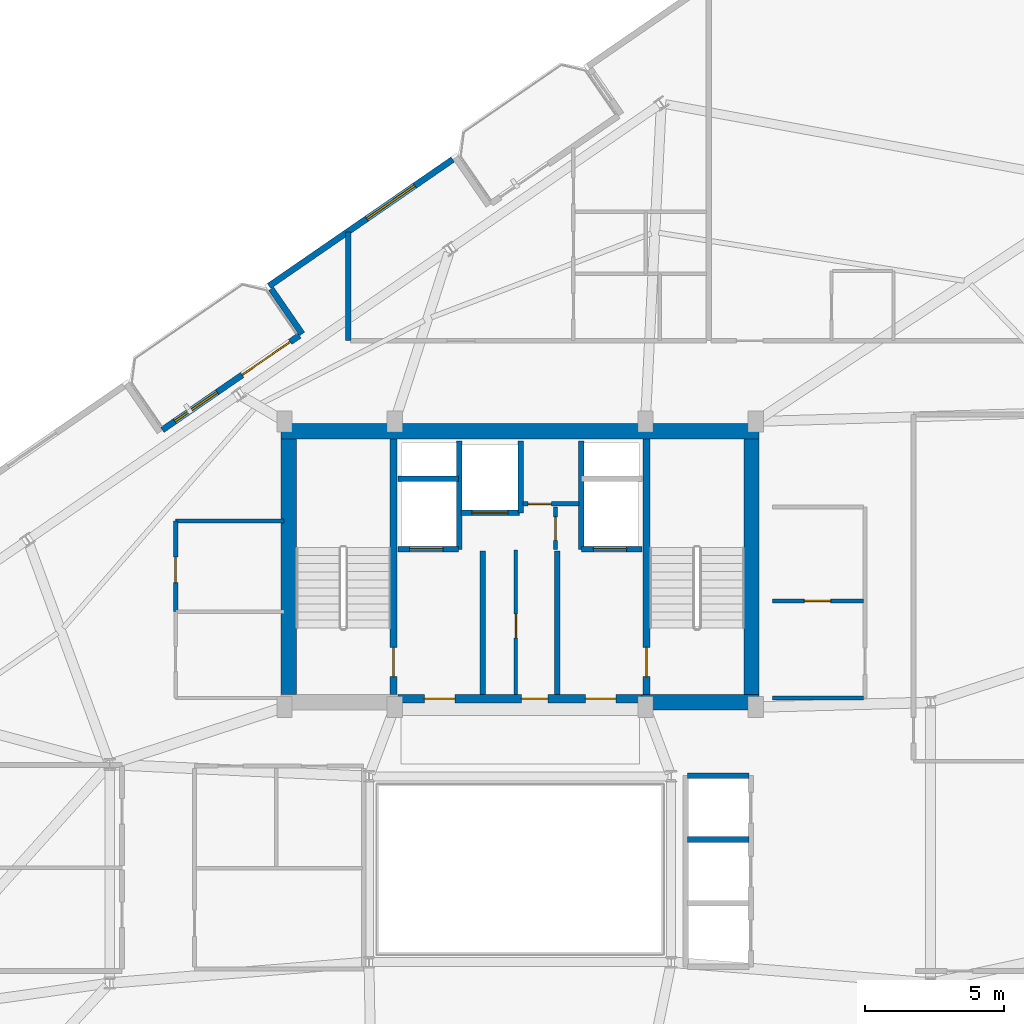
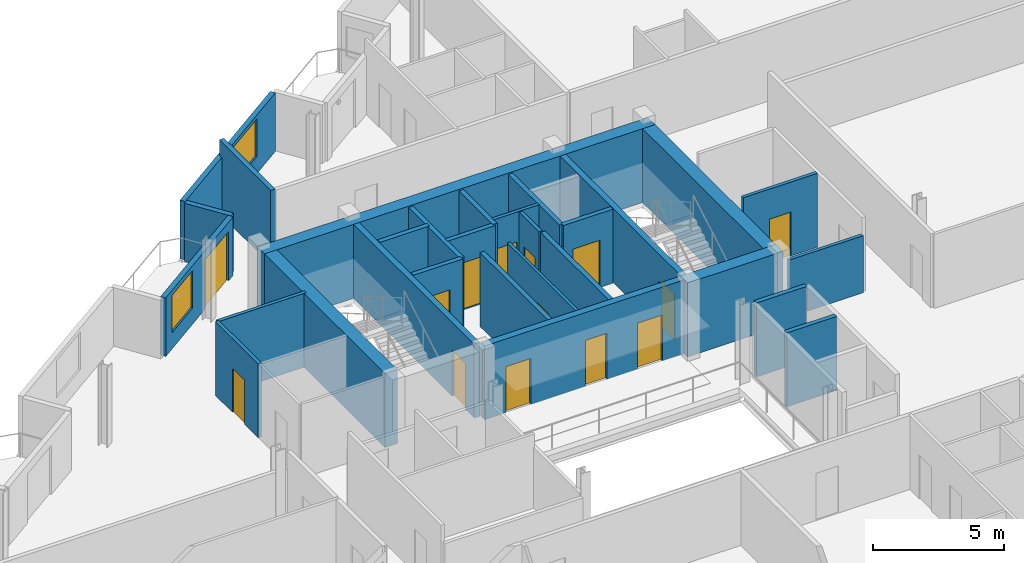
# One storey, part 18 of 23: 29 walls, 14 doors, 2 windows, 16 openings.
"""IFC4 building model written with IfcOpenShell, lengths in metres."""

from ifc_helpers import new_model, si_unit, direction, frame, frame_2d, origin, place, context, subcontext, project, spatial, rectangle, extrude, material, layer, layer_set, type_object, element, fill, save


model = new_model("IFC4")

# Units and contexts
model_context = context("Model", 3, precision=1e-05, world=origin(), true_north=direction((0.0, 1.0)))
body_context = subcontext(model_context, "Body", "Model", "MODEL_VIEW")
ifc_project = project(units=[si_unit("LENGTHUNIT", "METRE"), si_unit("AREAUNIT", "SQUARE_METRE"), si_unit("VOLUMEUNIT", "CUBIC_METRE"), si_unit("PLANEANGLEUNIT", "RADIAN"), si_unit("MASSUNIT", "GRAM", prefix="KILO")], contexts=[model_context])

# Site, building, storey
site_placement = place(None, origin())
site = spatial("IfcSite", under=ifc_project, at=site_placement, CompositionType="ELEMENT")
building_placement = place(site_placement, origin())
building = spatial("IfcBuilding", under=site, at=building_placement, Name="Varnelok Gate Tower", CompositionType="ELEMENT")
storey_placement = place(building_placement, frame((0.0, 0.0, 273.0)))
storey = spatial("IfcBuildingStorey", under=building, at=storey_placement, Name="L70", CompositionType="ELEMENT", Elevation=273.0)

# Wall, openings, door, window
ifc_material_1 = material(Name="Concrete C45/55", Category="concrete")
ifc_layer_1 = layer(ifc_material_1, 0.219970703125)
ifc_layer_set_1 = layer_set([ifc_layer_1], Name="Concrete C45/55")
wall_type_1 = type_object("IfcWallType", Name="EW-BALC-220", PredefinedType="SOLIDWALL", material=ifc_layer_set_1)
wall_1_placement = place(storey_placement, frame((26.29736328125, 38.742919921875, 0.0), z_axis=(0.0, 0.0, 1.0), x_axis=(0.823534636215, 0.567265989598, 0.0)))
wall_1 = element("IfcWall", 1, at=wall_1_placement, inside=storey, type_object=wall_type_1, Name="L70 North Terrace Envelope Wall 5", PredefinedType="SOLIDWALL", context=body_context, shape_type="SweptSolid", body=[
    extrude(rectangle(XDim=6.0, YDim=0.219970703125, at=frame_2d((3.0, 0.0))), origin(), (0.0, 0.0, 1.0), 2.72998046875),
])
opening_1_placement = place(wall_1_placement, frame((3.5, 0.0, 0.0)))
opening_1 = element("IfcOpeningElement", 2, at=opening_1_placement, cuts=wall_1, Name="Opening BD-2", PredefinedType="OPENING", context=body_context, shape_type="SweptSolid", body=[
    extrude(rectangle(XDim=2.10009765625, YDim=2.300048828125, at=frame_2d((1.050048828125, 1.14990234375))), frame((0.0, 0.119873046875, 0.0), z_axis=(0.0, -1.0, 0.0), x_axis=(1.0, 0.0, 0.0)), (0.0, 0.0, 1.0), 0.239990234375),
])
opening_2_placement = place(wall_1_placement, frame((0.550048828125, 0.0, 0.75)))
opening_2 = element("IfcOpeningElement", 3, at=opening_2_placement, cuts=wall_1, Name="Opening WN5", PredefinedType="OPENING", context=body_context, shape_type="SweptSolid", body=[
    extrude(rectangle(XDim=1.85009765625, YDim=1.75, at=frame_2d((0.925048828125, 0.875))), frame((0.0, 0.119873046875, 0.0), z_axis=(0.0, -1.0, 0.0), x_axis=(1.0, 0.0, 0.0)), (0.0, 0.0, 1.0), 0.239990234375),
])
ifc_material_2 = material(Name="Anodized Aluminum Alloy 6063-T6", Category="aluminium")
door_type_1 = type_object("IfcDoorType", Name="DR-EXT-SLID2100", OperationType="SLIDING_TO_LEFT", PredefinedType="DOOR", material=ifc_material_2)
door_1_placement = place(opening_1_placement, origin())
door_1 = element("IfcDoor", 4, at=door_1_placement, inside=storey, type_object=door_type_1, Name="L70 North Balcony Glazed Door 5", OperationType="SLIDING_TO_LEFT", OverallHeight=2.300048828125, OverallWidth=2.10009765625, PredefinedType="DOOR", context=body_context, shape_type="SweptSolid", body=[
    extrude(rectangle(XDim=2.10009765625, YDim=2.300048828125, at=frame_2d((1.050048828125, 1.14990234375))), frame((0.0, 0.02490234375, 0.0), z_axis=(0.0, -1.0, 0.0), x_axis=(1.0, 0.0, 0.0)), (0.0, 0.0, 1.0), 0.050048828125),
])
fill(opening_1, door_1)
ifc_material_3 = material(Name="Low-E Laminated Double Glazing IGU", Category="glass")
window_type_1 = type_object("IfcWindowType", Name="WN-RES-1850", PartitioningType="SINGLE_PANEL", PredefinedType="WINDOW", material=ifc_material_3)
window_1_placement = place(opening_2_placement, origin())
window_1 = element("IfcWindow", 5, at=window_1_placement, inside=storey, type_object=window_type_1, Name="L70 North Vision Window 5.1", OverallHeight=1.75, OverallWidth=1.85009765625, PartitioningType="SINGLE_PANEL", PredefinedType="WINDOW", context=body_context, shape_type="SweptSolid", body=[
    extrude(rectangle(XDim=1.85009765625, YDim=1.75, at=frame_2d((0.925048828125, 0.875))), frame((0.0, 0.030029296875, 0.0), z_axis=(0.0, -1.0, 0.0), x_axis=(1.0, 0.0, 0.0)), (0.0, 0.0, 1.0), 0.06005859375),
])
fill(opening_2, window_1)

# Wall, opening, window
wall_2_placement = place(storey_placement, frame((36.768798828125, 48.493896484375, 0.0), z_axis=(0.0, 0.0, 1.0), x_axis=(-0.823521165086, -0.56728554596, 0.0)))
wall_2 = element("IfcWall", 6, at=wall_2_placement, inside=storey, type_object=wall_type_1, Name="L70 Perimeter Facade Closure Wall 32", PredefinedType="SOLIDWALL", context=body_context, shape_type="SweptSolid", body=[
    extrude(rectangle(XDim=8.034912109375, YDim=0.219970703125, at=frame_2d((4.017578125, 0.0))), origin(), (0.0, 0.0, 1.0), 2.72998046875),
])
opening_3_placement = place(wall_2_placement, frame((1.661865234375, 0.0, 0.800048828125)))
opening_3 = element("IfcOpeningElement", 7, at=opening_3_placement, cuts=wall_2, Name="Opening WN4", PredefinedType="OPENING", context=body_context, shape_type="SweptSolid", body=[
    extrude(rectangle(XDim=2.10009765625, YDim=1.75, at=frame_2d((1.050048828125, 0.875))), frame((0.0, 0.119873046875, 0.0), z_axis=(0.0, -1.0, 0.0), x_axis=(1.0, 0.0, 0.0)), (0.0, 0.0, 1.0), 0.239990234375),
])
window_type_2 = type_object("IfcWindowType", Name="WN-SUI-2100", PartitioningType="SINGLE_PANEL", PredefinedType="WINDOW", material=ifc_material_3)
window_2_placement = place(opening_3_placement, origin())
window_2 = element("IfcWindow", 8, at=window_2_placement, inside=storey, type_object=window_type_2, Name="L70 Perimeter Vision Window 32", OverallHeight=1.75, OverallWidth=2.10009765625, PartitioningType="SINGLE_PANEL", PredefinedType="WINDOW", context=body_context, shape_type="SweptSolid", body=[
    extrude(rectangle(XDim=2.10009765625, YDim=1.75, at=frame_2d((1.050048828125, 0.875))), frame((0.0, 0.030029296875, 0.0), z_axis=(0.0, -1.0, 0.0), x_axis=(1.0, 0.0, 0.0)), (0.0, 0.0, 1.0), 0.06005859375),
])
fill(opening_3, window_2)

# Wall
wall_3_placement = place(storey_placement, frame((30.22265625, 43.8330078125, 0.0), z_axis=(0.0, 0.0, 1.0), x_axis=(0.567215821234, -0.823569190865, 0.0)))
element("IfcWall", 9, at=wall_3_placement, inside=storey, type_object=wall_type_1, Name="L70 Perimeter Facade Closure Wall 33", PredefinedType="SOLIDWALL", context=body_context, shape_type="SweptSolid", body=[
    extrude(rectangle(XDim=1.97509765625, YDim=0.219970703125, at=frame_2d((0.987548828125, 0.0))), origin(), (0.0, 0.0, 1.0), 2.72998046875),
])

# Wall, opening, door
ifc_material_4 = material(Name="Gypsum Plasterboard Acoustic Partition", Category="gypsum")
ifc_layer_2 = layer(ifc_material_4, 0.125)
ifc_layer_set_2 = layer_set([ifc_layer_2], Name="Gypsum Plasterboard Acoustic Partition")
wall_type_2 = type_object("IfcWallType", Name="PW-PART-125", PredefinedType="PARTITIONING", material=ifc_layer_set_2)
wall_4_placement = place(storey_placement, frame((39.050048828125, 29.199951171875, 0.0), z_axis=(0.0, 0.0, 1.0), x_axis=(0.0, 1.0, 0.0)))
wall_4 = element("IfcWall", 10, at=wall_4_placement, inside=storey, type_object=wall_type_2, Name="Interior Partition", PredefinedType="PARTITIONING", context=body_context, shape_type="SweptSolid", body=[
    extrude(rectangle(XDim=5.219970703125, YDim=0.125, at=frame_2d((2.60986328125, 0.0))), origin(), (0.0, 0.0, 1.0), 3.449951171875),
])
opening_4_placement = place(wall_4_placement, frame((2.050048828125, 0.0, 0.0)))
opening_4 = element("IfcOpeningElement", 11, at=opening_4_placement, cuts=wall_4, Name="Opening D-RS", PredefinedType="OPENING", context=body_context, shape_type="SweptSolid", body=[
    extrude(rectangle(XDim=0.85009765625, YDim=2.050048828125, at=frame_2d((0.425048828125, 1.02490234375))), frame((0.0, 0.072509765625, 0.0), z_axis=(0.0, -1.0, 0.0), x_axis=(1.0, 0.0, 0.0)), (0.0, 0.0, 1.0), 0.14501953125),
])
ifc_material_5 = material(Name="Galvanized Steel Grade S350GD", Category="steel")
door_type_2 = type_object("IfcDoorType", Name="DR-RISER-850", OperationType="NOTDEFINED", PredefinedType="DOOR", material=ifc_material_5)
door_2_placement = place(opening_4_placement, origin())
door_2 = element("IfcDoor", 12, at=door_2_placement, inside=storey, type_object=door_type_2, Name="L70 Housekeeping Linen Door", OperationType="SINGLE_SWING_LEFT", OverallHeight=2.050048828125, OverallWidth=0.85009765625, PredefinedType="DOOR", context=body_context, shape_type="SweptSolid", body=[
    extrude(rectangle(XDim=0.85009765625, YDim=2.050048828125, at=frame_2d((0.425048828125, 1.02490234375))), frame((0.0, 0.02490234375, 0.0), z_axis=(0.0, -1.0, 0.0), x_axis=(1.0, 0.0, 0.0)), (0.0, 0.0, 1.0), 0.050048828125),
])
fill(opening_4, door_2)

ifc_layer_3 = layer(ifc_material_4, 0.14990234375)
ifc_layer_set_3 = layer_set([ifc_layer_3], Name="Gypsum Plasterboard Acoustic Partition")
wall_type_3 = type_object("IfcWallType", Name="PW-PART-150", PredefinedType="PARTITIONING", material=ifc_layer_set_3)
wall_5_placement = place(storey_placement, frame((39.300048828125, 36.080078125, 0.0), z_axis=(0.0, 0.0, 1.0), x_axis=(1.0, 0.0, 0.0)))
wall_5 = element("IfcWall", 13, at=wall_5_placement, inside=storey, type_object=wall_type_3, Name="L70 Electrical Closet South Wall", PredefinedType="PARTITIONING", context=body_context, shape_type="SweptSolid", body=[
    extrude(rectangle(XDim=2.02001953125, YDim=0.14990234375, at=frame_2d((1.010009765625, 0.0))), origin(), (0.0, 0.0, 1.0), 3.449951171875),
])
opening_5_placement = place(wall_5_placement, frame((0.179931640625, 0.0, 0.0)))
opening_5 = element("IfcOpeningElement", 14, at=opening_5_placement, cuts=wall_5, Name="Opening D-RS", PredefinedType="OPENING", context=body_context, shape_type="SweptSolid", body=[
    extrude(rectangle(XDim=0.85009765625, YDim=2.050048828125, at=frame_2d((0.425048828125, 1.02490234375))), frame((0.0, 0.0849609375, 0.0), z_axis=(0.0, -1.0, 0.0), x_axis=(1.0, 0.0, 0.0)), (0.0, 0.0, 1.0), 0.169921875),
])
door_3_placement = place(opening_5_placement, origin())
door_3 = element("IfcDoor", 15, at=door_3_placement, inside=storey, type_object=door_type_2, Name="L70 Electrical Closet Door", OperationType="SINGLE_SWING_RIGHT", OverallHeight=2.050048828125, OverallWidth=0.85009765625, PredefinedType="DOOR", context=body_context, shape_type="SweptSolid", body=[
    extrude(rectangle(XDim=0.85009765625, YDim=2.050048828125, at=frame_2d((0.425048828125, 1.02490234375))), frame((0.0, 0.02490234375, 0.0), z_axis=(0.0, -1.0, 0.0), x_axis=(1.0, 0.0, 0.0)), (0.0, 0.0, 1.0), 0.050048828125),
])
fill(opening_5, door_3)

wall_6_placement = place(storey_placement, frame((40.47998046875, 34.43994140625, 0.0), z_axis=(0.0, 0.0, 1.0), x_axis=(0.0, 1.0, 0.0)))
wall_6 = element("IfcWall", 16, at=wall_6_placement, inside=storey, type_object=wall_type_3, Name="L70 Telecoms Closet West Wall", PredefinedType="PARTITIONING", context=body_context, shape_type="SweptSolid", body=[
    extrude(rectangle(XDim=1.52001953125, YDim=0.14990234375, at=frame_2d((0.760009765625, 0.0))), origin(), (0.0, 0.0, 1.0), 3.449951171875),
])
opening_6_placement = place(wall_6_placement, frame((0.320068359375, 0.0, 0.0)))
opening_6 = element("IfcOpeningElement", 17, at=opening_6_placement, cuts=wall_6, Name="Opening D-RS", PredefinedType="OPENING", context=body_context, shape_type="SweptSolid", body=[
    extrude(rectangle(XDim=0.85009765625, YDim=2.050048828125, at=frame_2d((0.425048828125, 1.02490234375))), frame((0.0, 0.0849609375, 0.0), z_axis=(0.0, -1.0, 0.0), x_axis=(1.0, 0.0, 0.0)), (0.0, 0.0, 1.0), 0.169921875),
])
door_4_placement = place(opening_6_placement, origin())
door_4 = element("IfcDoor", 18, at=door_4_placement, inside=storey, type_object=door_type_2, Name="L70 Telecoms Closet Door", OperationType="SINGLE_SWING_LEFT", OverallHeight=2.050048828125, OverallWidth=0.85009765625, PredefinedType="DOOR", context=body_context, shape_type="SweptSolid", body=[
    extrude(rectangle(XDim=0.85009765625, YDim=2.050048828125, at=frame_2d((0.425048828125, 1.02490234375))), frame((0.0, 0.02490234375, 0.0), z_axis=(0.0, -1.0, 0.0), x_axis=(1.0, 0.0, 0.0)), (0.0, 0.0, 1.0), 0.050048828125),
])
fill(opening_6, door_4)

# Wall
wall_7_placement = place(storey_placement, frame((26.780029296875, 35.4599609375, 0.0), z_axis=(0.0, 0.0, 1.0), x_axis=(1.0, 0.0, 0.0)))
element("IfcWall", 19, at=wall_7_placement, inside=storey, type_object=wall_type_3, Name="Interior Partition", PredefinedType="PARTITIONING", context=body_context, shape_type="SweptSolid", body=[
    extrude(rectangle(XDim=3.89990234375, YDim=0.14990234375, at=frame_2d((1.949951171875, 0.0))), origin(), (0.0, 0.0, 1.0), 3.449951171875),
])

# Wall, opening, door
wall_8_placement = place(storey_placement, frame((26.780029296875, 32.18994140625, 0.0), z_axis=(0.0, 0.0, 1.0), x_axis=(0.0, 1.0, 0.0)))
wall_8 = element("IfcWall", 20, at=wall_8_placement, inside=storey, type_object=wall_type_3, Name="Interior Partition", PredefinedType="PARTITIONING", context=body_context, shape_type="SweptSolid", body=[
    extrude(rectangle(XDim=3.27001953125, YDim=0.14990234375, at=frame_2d((1.635009765625, 0.0))), origin(), (0.0, 0.0, 1.0), 3.449951171875),
])
opening_7_placement = place(wall_8_placement, frame((1.050048828125, 0.0, 0.0)))
opening_7 = element("IfcOpeningElement", 21, at=opening_7_placement, cuts=wall_8, Name="Opening D-I3", PredefinedType="OPENING", context=body_context, shape_type="SweptSolid", body=[
    extrude(rectangle(XDim=0.919921875, YDim=2.050048828125, at=frame_2d((0.4599609375, 1.02490234375))), frame((0.0, 0.0849609375, 0.0), z_axis=(0.0, -1.0, 0.0), x_axis=(1.0, 0.0, 0.0)), (0.0, 0.0, 1.0), 0.169921875),
])
ifc_material_6 = material(Name="Engineered Hardwood Timber", Category="wood")
door_type_3 = type_object("IfcDoorType", Name="DR-INT-920", OperationType="NOTDEFINED", PredefinedType="DOOR", material=ifc_material_6)
door_5_placement = place(opening_7_placement, origin())
door_5 = element("IfcDoor", 22, at=door_5_placement, inside=storey, type_object=door_type_3, Name="L70 Core Pantry Door", OperationType="SINGLE_SWING_RIGHT", OverallHeight=2.050048828125, OverallWidth=0.919921875, PredefinedType="DOOR", context=body_context, shape_type="SweptSolid", body=[
    extrude(rectangle(XDim=0.919921875, YDim=2.050048828125, at=frame_2d((0.4599609375, 1.02490234375))), frame((0.0, 0.02490234375, 0.0), z_axis=(0.0, -1.0, 0.0), x_axis=(1.0, 0.0, 0.0)), (0.0, 0.0, 1.0), 0.050048828125),
])
fill(opening_7, door_5)

wall_9_placement = place(storey_placement, frame((48.300048828125, 32.580078125, 0.0), z_axis=(0.0, 0.0, 1.0), x_axis=(1.0, 0.0, 0.0)))
wall_9 = element("IfcWall", 23, at=wall_9_placement, inside=storey, type_object=wall_type_3, Name="Interior Partition", PredefinedType="PARTITIONING", context=body_context, shape_type="SweptSolid", body=[
    extrude(rectangle(XDim=3.280029296875, YDim=0.14990234375, at=frame_2d((1.64013671875, 0.0))), origin(), (0.0, 0.0, 1.0), 3.449951171875),
])
opening_8_placement = place(wall_9_placement, frame((1.14990234375, 0.0, 0.0)))
opening_8 = element("IfcOpeningElement", 24, at=opening_8_placement, cuts=wall_9, Name="Opening D-I2", PredefinedType="OPENING", context=body_context, shape_type="SweptSolid", body=[
    extrude(rectangle(XDim=0.949951171875, YDim=2.050048828125, at=frame_2d((0.47509765625, 1.02490234375))), frame((0.0, 0.0849609375, 0.0), z_axis=(0.0, -1.0, 0.0), x_axis=(1.0, 0.0, 0.0)), (0.0, 0.0, 1.0), 0.169921875),
])
door_type_4 = type_object("IfcDoorType", Name="DR-INT-950", OperationType="NOTDEFINED", PredefinedType="DOOR", material=ifc_material_6)
door_6_placement = place(opening_8_placement, origin())
door_6 = element("IfcDoor", 25, at=door_6_placement, inside=storey, type_object=door_type_4, Name="L70 Reclaimed Trunk Storage Door", OperationType="SINGLE_SWING_LEFT", OverallHeight=2.050048828125, OverallWidth=0.949951171875, PredefinedType="DOOR", context=body_context, shape_type="SweptSolid", body=[
    extrude(rectangle(XDim=0.949951171875, YDim=2.050048828125, at=frame_2d((0.47509765625, 1.02490234375))), frame((0.0, 0.02490234375, 0.0), z_axis=(0.0, -1.0, 0.0), x_axis=(1.0, 0.0, 0.0)), (0.0, 0.0, 1.0), 0.050048828125),
])
fill(opening_8, door_6)

# Walls
wall_10_placement = place(storey_placement, frame((48.300048828125, 29.080078125, 0.0), z_axis=(0.0, 0.0, 1.0), x_axis=(1.0, 0.0, 0.0)))
element("IfcWall", 26, at=wall_10_placement, inside=storey, type_object=wall_type_3, Name="Interior Partition", PredefinedType="PARTITIONING", context=body_context, shape_type="SweptSolid", body=[
    extrude(rectangle(XDim=3.280029296875, YDim=0.14990234375, at=frame_2d((1.64013671875, 0.0))), origin(), (0.0, 0.0, 1.0), 2.662109375),
])
ifc_layer_4 = layer(ifc_material_4, 0.205078125)
ifc_layer_set_4 = layer_set([ifc_layer_4], Name="Gypsum Plasterboard Acoustic Partition")
wall_type_4 = type_object("IfcWallType", Name="PW-PARTY-200", PredefinedType="PARTITIONING", material=ifc_layer_set_4)
wall_11_placement = place(storey_placement, frame((33.0, 41.9599609375, 0.0), z_axis=(0.0, 0.0, 1.0), x_axis=(0.0, 1.0, 0.0)))
element("IfcWall", 27, at=wall_11_placement, inside=storey, type_object=wall_type_4, Name="L70 North Party Wall 1", PredefinedType="PARTITIONING", context=body_context, shape_type="SweptSolid", body=[
    extrude(rectangle(XDim=3.91357421875, YDim=0.205078125, at=frame_2d((1.956787109375, 0.0))), origin(), (0.0, 0.0, 1.0), 3.449951171875),
])
ifc_material_7 = material(Name="Concrete C35/45", Category="concrete")
ifc_layer_5 = layer(ifc_material_7, 0.199951171875)
ifc_layer_set_5 = layer_set([ifc_layer_5], Name="Concrete C35/45")
wall_type_5 = type_object("IfcWallType", Name="PW-SHAFT-200", PredefinedType="PARTITIONING", material=ifc_layer_set_5)
for number, where, z_axis, x_axis, name in (
    (28, (37.860107421875, 29.199951171875, 0.0), (0.0, 0.0, 1.0), (0.0, 1.0, 0.0), "L70 West FF Lobby Rated Wall"),
    (29, (40.5400390625, 29.199951171875, 0.0), (0.0, 0.0, 1.0), (0.0, 1.0, 0.0), "L70 East FF Lobby Rated Wall"),
):
    element("IfcWall", number, at=place(storey_placement, frame(where, z_axis=z_axis, x_axis=x_axis)), inside=storey, type_object=wall_type_5, Name=name, PredefinedType="PARTITIONING", context=body_context, shape_type="SweptSolid", body=[
        extrude(rectangle(XDim=5.179931640625, YDim=0.199951171875, at=frame_2d((2.58984375, 0.0))), origin(), (0.0, 0.0, 1.0), 3.449951171875),
    ])

# Wall, opening, door
wall_12_placement = place(storey_placement, frame((34.800048828125, 34.43994140625, 0.0), z_axis=(0.0, 0.0, 1.0), x_axis=(1.0, 0.0, 0.0)))
wall_12 = element("IfcWall", 30, at=wall_12_placement, inside=storey, type_object=wall_type_5, Name="L70 FF1 Shaft Front Wall", PredefinedType="PARTITIONING", context=body_context, shape_type="SweptSolid", body=[
    extrude(rectangle(XDim=2.179931640625, YDim=0.199951171875, at=frame_2d((1.08984375, 0.0))), origin(), (0.0, 0.0, 1.0), 3.449951171875),
])
opening_9_placement = place(wall_12_placement, frame((0.419921875, 0.0, 0.0)))
opening_9 = element("IfcOpeningElement", 31, at=opening_9_placement, cuts=wall_12, Name="Opening LD-FF1", PredefinedType="OPENING", context=body_context, shape_type="SweptSolid", body=[
    extrude(rectangle(XDim=1.199951171875, YDim=2.199951171875, at=frame_2d((0.60009765625, 1.10009765625))), frame((0.0, 0.10986328125, 0.0), z_axis=(0.0, -1.0, 0.0), x_axis=(1.0, 0.0, 0.0)), (0.0, 0.0, 1.0), 0.219970703125),
])
door_type_5 = type_object("IfcDoorType", Name="DR-LIFT-FF1200", OperationType="SLIDING_TO_LEFT", PredefinedType="DOOR", material=ifc_material_5)
door_7_placement = place(opening_9_placement, origin())
door_7 = element("IfcDoor", 32, at=door_7_placement, inside=storey, type_object=door_type_5, Name="L70 Firefighting Lift Landing Door LD-FF1", OperationType="SLIDING_TO_LEFT", OverallHeight=2.199951171875, OverallWidth=1.199951171875, PredefinedType="DOOR", context=body_context, shape_type="SweptSolid", body=[
    extrude(rectangle(XDim=1.199951171875, YDim=2.199951171875, at=frame_2d((0.60009765625, 1.10009765625))), frame((0.0, 0.02490234375, 0.0), z_axis=(0.0, -1.0, 0.0), x_axis=(1.0, 0.0, 0.0)), (0.0, 0.0, 1.0), 0.050048828125),
])
fill(opening_9, door_7)

# Walls
wall_13_placement = place(storey_placement, frame((34.800048828125, 36.97998046875, 0.0), z_axis=(0.0, 0.0, 1.0), x_axis=(1.0, 0.0, 0.0)))
element("IfcWall", 33, at=wall_13_placement, inside=storey, type_object=wall_type_5, Name="L70 FF1 Shaft North Wall", PredefinedType="PARTITIONING", context=body_context, shape_type="SweptSolid", body=[
    extrude(rectangle(XDim=2.179931640625, YDim=0.199951171875, at=frame_2d((1.08984375, 0.0))), origin(), (0.0, 0.0, 1.0), 3.449951171875),
])
wall_14_placement = place(storey_placement, frame((37.0, 34.43994140625, 0.0), z_axis=(0.0, 0.0, 1.0), x_axis=(0.0, 1.0, 0.0)))
element("IfcWall", 34, at=wall_14_placement, inside=storey, type_object=wall_type_5, Name="L70 FF1 Shaft Side Wall", PredefinedType="PARTITIONING", context=body_context, shape_type="SweptSolid", body=[
    extrude(rectangle(XDim=3.900146484375, YDim=0.199951171875, at=frame_2d((1.9501953125, 0.0))), origin(), (0.0, 0.0, 1.0), 3.449951171875),
])

# Wall, opening, door
wall_15_placement = place(storey_placement, frame((41.419921875, 34.43994140625, 0.0), z_axis=(0.0, 0.0, 1.0), x_axis=(1.0, 0.0, 0.0)))
wall_15 = element("IfcWall", 35, at=wall_15_placement, inside=storey, type_object=wall_type_5, Name="L70 FF2 Shaft Front Wall", PredefinedType="PARTITIONING", context=body_context, shape_type="SweptSolid", body=[
    extrude(rectangle(XDim=2.18017578125, YDim=0.199951171875, at=frame_2d((1.090087890625, 0.0))), origin(), (0.0, 0.0, 1.0), 3.449951171875),
])
opening_10_placement = place(wall_15_placement, frame((0.419921875, 0.0, 0.0)))
opening_10 = element("IfcOpeningElement", 36, at=opening_10_placement, cuts=wall_15, Name="Opening LD-FF2", PredefinedType="OPENING", context=body_context, shape_type="SweptSolid", body=[
    extrude(rectangle(XDim=1.199951171875, YDim=2.199951171875, at=frame_2d((0.60009765625, 1.10009765625))), frame((0.0, 0.10986328125, 0.0), z_axis=(0.0, -1.0, 0.0), x_axis=(1.0, 0.0, 0.0)), (0.0, 0.0, 1.0), 0.219970703125),
])
door_8_placement = place(opening_10_placement, origin())
door_8 = element("IfcDoor", 37, at=door_8_placement, inside=storey, type_object=door_type_5, Name="L70 Firefighting Lift Landing Door LD-FF2", OperationType="SLIDING_TO_LEFT", OverallHeight=2.199951171875, OverallWidth=1.199951171875, PredefinedType="DOOR", context=body_context, shape_type="SweptSolid", body=[
    extrude(rectangle(XDim=1.199951171875, YDim=2.199951171875, at=frame_2d((0.60009765625, 1.10009765625))), frame((0.0, 0.02490234375, 0.0), z_axis=(0.0, -1.0, 0.0), x_axis=(1.0, 0.0, 0.0)), (0.0, 0.0, 1.0), 0.050048828125),
])
fill(opening_10, door_8)

# Wall
wall_16_placement = place(storey_placement, frame((41.39990234375, 34.43994140625, 0.0), z_axis=(0.0, 0.0, 1.0), x_axis=(0.0, 1.0, 0.0)))
element("IfcWall", 38, at=wall_16_placement, inside=storey, type_object=wall_type_5, Name="L70 FF2 Shaft Side Wall", PredefinedType="PARTITIONING", context=body_context, shape_type="SweptSolid", body=[
    extrude(rectangle(XDim=3.900146484375, YDim=0.199951171875, at=frame_2d((1.9501953125, 0.0))), origin(), (0.0, 0.0, 1.0), 3.449951171875),
])

# Wall, opening, door
wall_17_placement = place(storey_placement, frame((37.06005859375, 35.75, 0.0), z_axis=(0.0, 0.0, 1.0), x_axis=(1.0, 0.0, 0.0)))
wall_17 = element("IfcWall", 39, at=wall_17_placement, inside=storey, type_object=wall_type_5, Name="L70 SV1 Shaft Front Wall", PredefinedType="PARTITIONING", context=body_context, shape_type="SweptSolid", body=[
    extrude(rectangle(XDim=2.119873046875, YDim=0.199951171875, at=frame_2d((1.06005859375, 0.0))), origin(), (0.0, 0.0, 1.0), 3.449951171875),
])
opening_11_placement = place(wall_17_placement, frame((0.39990234375, 0.0, 0.0)))
opening_11 = element("IfcOpeningElement", 40, at=opening_11_placement, cuts=wall_17, Name="Opening LD-SV1", PredefinedType="OPENING", context=body_context, shape_type="SweptSolid", body=[
    extrude(rectangle(XDim=1.300048828125, YDim=2.199951171875, at=frame_2d((0.64990234375, 1.10009765625))), frame((0.0, 0.10986328125, 0.0), z_axis=(0.0, -1.0, 0.0), x_axis=(1.0, 0.0, 0.0)), (0.0, 0.0, 1.0), 0.219970703125),
])
door_type_6 = type_object("IfcDoorType", Name="DR-LIFT-SV1300", OperationType="SLIDING_TO_LEFT", PredefinedType="DOOR", material=ifc_material_5)
door_9_placement = place(opening_11_placement, origin())
door_9 = element("IfcDoor", 41, at=door_9_placement, inside=storey, type_object=door_type_6, Name="L70 Service Lift Landing Door LD-SV1", OperationType="SLIDING_TO_LEFT", OverallHeight=2.199951171875, OverallWidth=1.300048828125, PredefinedType="DOOR", context=body_context, shape_type="SweptSolid", body=[
    extrude(rectangle(XDim=1.300048828125, YDim=2.199951171875, at=frame_2d((0.64990234375, 1.10009765625))), frame((0.0, 0.02490234375, 0.0), z_axis=(0.0, -1.0, 0.0), x_axis=(1.0, 0.0, 0.0)), (0.0, 0.0, 1.0), 0.050048828125),
])
fill(opening_11, door_9)

# Walls
wall_18_placement = place(storey_placement, frame((39.219970703125, 35.75, 0.0), z_axis=(0.0, 0.0, 1.0), x_axis=(0.0, 1.0, 0.0)))
element("IfcWall", 42, at=wall_18_placement, inside=storey, type_object=wall_type_5, Name="L70 SV1 Shaft East Wall", PredefinedType="PARTITIONING", context=body_context, shape_type="SweptSolid", body=[
    extrude(rectangle(XDim=2.590087890625, YDim=0.199951171875, at=frame_2d((1.294921875, 0.0))), origin(), (0.0, 0.0, 1.0), 3.449951171875),
])
for number, where, z_axis, x_axis, name in (
    (43, (45.239990234375, 23.97509765625, 0.0), (0.0, 0.0, 1.0), (1.0, 0.0, 0.0), "L70 PH2 Divider"),
    (44, (45.239990234375, 26.280029296875, 0.0), (0.0, 0.0, 1.0), (1.0, 0.0, 0.0), "L70 PH Bank North Wall"),
):
    element("IfcWall", number, at=place(storey_placement, frame(where, z_axis=z_axis, x_axis=x_axis)), inside=storey, type_object=wall_type_5, Name=name, PredefinedType="PARTITIONING", context=body_context, shape_type="SweptSolid", body=[
        extrude(rectangle(XDim=2.219970703125, YDim=0.199951171875, at=frame_2d((1.10986328125, 0.0))), origin(), (0.0, 0.0, 1.0), 3.449951171875),
    ])
ifc_material_8 = material(Name="Concrete C60/75", Category="concrete")
ifc_layer_6 = layer(ifc_material_8, 0.550048828125)
ifc_layer_set_6 = layer_set([ifc_layer_6], Name="Concrete C60/75")
wall_type_6 = type_object("IfcWallType", Name="SW-CORE-550", PredefinedType="SHEAR", material=ifc_layer_set_6)
wall_19_placement = place(storey_placement, frame((30.580078125, 38.695068359375, 0.0), z_axis=(0.0, 0.0, 1.0), x_axis=(1.0, 0.0, 0.0)))
element("IfcWall", 45, at=wall_19_placement, inside=storey, type_object=wall_type_6, Name="L70 Rear Core North Shear Wall", PredefinedType="SHEAR", context=body_context, shape_type="SweptSolid", body=[
    extrude(rectangle(XDim=17.239990234375, YDim=0.550048828125, at=frame_2d((8.6201171875, 0.0))), origin(), (0.0, 0.0, 1.0), 3.449951171875),
])
for number, where, z_axis, x_axis, name in (
    (46, (30.85498046875, 29.199951171875, 0.0), (0.0, 0.0, 1.0), (0.0, 1.0, 0.0), "L70 Rear Core West Shear Wall"),
    (47, (47.544921875, 29.199951171875, 0.0), (0.0, 0.0, 1.0), (0.0, 1.0, 0.0), "L70 Rear Core East Shear Wall"),
):
    element("IfcWall", number, at=place(storey_placement, frame(where, z_axis=z_axis, x_axis=x_axis)), inside=storey, type_object=wall_type_6, Name=name, PredefinedType="SHEAR", context=body_context, shape_type="SweptSolid", body=[
        extrude(rectangle(XDim=9.219970703125, YDim=0.550048828125, at=frame_2d((4.60986328125, 0.0))), origin(), (0.0, 0.0, 1.0), 3.449951171875),
    ])
wall_20_placement = place(storey_placement, frame((43.60009765625, 28.925048828125, 0.0), z_axis=(0.0, 0.0, 1.0), x_axis=(1.0, 0.0, 0.0)))
element("IfcWall", 48, at=wall_20_placement, inside=storey, type_object=wall_type_6, Name="L70 Rear Core South-East Shear Wall", PredefinedType="SHEAR", context=body_context, shape_type="SweptSolid", body=[
    extrude(rectangle(XDim=4.219970703125, YDim=0.550048828125, at=frame_2d((2.10986328125, 0.0))), origin(), (0.0, 0.0, 1.0), 3.449951171875),
])

# Wall, opening, door
ifc_layer_7 = layer(ifc_material_8, 0.25)
ifc_layer_set_7 = layer_set([ifc_layer_7], Name="Concrete C60/75")
wall_type_7 = type_object("IfcWallType", Name="SW-SHAFT-250", PredefinedType="SHEAR", material=ifc_layer_set_7)
wall_21_placement = place(storey_placement, frame((34.639892578125, 29.199951171875, 0.0), z_axis=(0.0, 0.0, 1.0), x_axis=(0.0, 1.0, 0.0)))
wall_21 = element("IfcWall", 49, at=wall_21_placement, inside=storey, type_object=wall_type_7, Name="L70 Stair ST-1 East Shear Wall", PredefinedType="SHEAR", context=body_context, shape_type="SweptSolid", body=[
    extrude(rectangle(XDim=9.219970703125, YDim=0.25, at=frame_2d((4.60986328125, 0.0))), origin(), (0.0, 0.0, 1.0), 3.449951171875),
])
opening_12_placement = place(wall_21_placement, frame((0.64990234375, 0.0, 0.0)))
opening_12 = element("IfcOpeningElement", 50, at=opening_12_placement, cuts=wall_21, Name="Opening D-ST", PredefinedType="OPENING", context=body_context, shape_type="SweptSolid", body=[
    extrude(rectangle(XDim=1.050048828125, YDim=2.14990234375, at=frame_2d((0.52490234375, 1.074951171875))), frame((0.0, 0.135009765625, 0.0), z_axis=(0.0, -1.0, 0.0), x_axis=(1.0, 0.0, 0.0)), (0.0, 0.0, 1.0), 0.27001953125),
])
door_type_7 = type_object("IfcDoorType", Name="DR-STAIR-1050", OperationType="NOTDEFINED", PredefinedType="DOOR", material=ifc_material_5)
door_10_placement = place(opening_12_placement, origin())
door_10 = element("IfcDoor", 51, at=door_10_placement, inside=storey, type_object=door_type_7, Name="L70 Exit Stair ST-1 Fire Door", OperationType="SINGLE_SWING_LEFT", OverallHeight=2.14990234375, OverallWidth=1.050048828125, PredefinedType="DOOR", context=body_context, shape_type="SweptSolid", body=[
    extrude(rectangle(XDim=1.050048828125, YDim=2.14990234375, at=frame_2d((0.52490234375, 1.074951171875))), frame((0.0, 0.02490234375, 0.0), z_axis=(0.0, -1.0, 0.0), x_axis=(1.0, 0.0, 0.0)), (0.0, 0.0, 1.0), 0.050048828125),
])
fill(opening_12, door_10)

wall_22_placement = place(storey_placement, frame((43.760009765625, 29.199951171875, 0.0), z_axis=(0.0, 0.0, 1.0), x_axis=(0.0, 1.0, 0.0)))
wall_22 = element("IfcWall", 52, at=wall_22_placement, inside=storey, type_object=wall_type_7, Name="L70 Stair ST-2 West Shear Wall", PredefinedType="SHEAR", context=body_context, shape_type="SweptSolid", body=[
    extrude(rectangle(XDim=9.219970703125, YDim=0.25, at=frame_2d((4.60986328125, 0.0))), origin(), (0.0, 0.0, 1.0), 3.449951171875),
])
opening_13_placement = place(wall_22_placement, frame((0.64990234375, 0.0, 0.0)))
opening_13 = element("IfcOpeningElement", 53, at=opening_13_placement, cuts=wall_22, Name="Opening D-ST", PredefinedType="OPENING", context=body_context, shape_type="SweptSolid", body=[
    extrude(rectangle(XDim=1.050048828125, YDim=2.14990234375, at=frame_2d((0.52490234375, 1.074951171875))), frame((0.0, 0.135009765625, 0.0), z_axis=(0.0, -1.0, 0.0), x_axis=(1.0, 0.0, 0.0)), (0.0, 0.0, 1.0), 0.27001953125),
])
door_11_placement = place(opening_13_placement, origin())
door_11 = element("IfcDoor", 54, at=door_11_placement, inside=storey, type_object=door_type_7, Name="L70 Exit Stair ST-2 Fire Door", OperationType="SINGLE_SWING_RIGHT", OverallHeight=2.14990234375, OverallWidth=1.050048828125, PredefinedType="DOOR", context=body_context, shape_type="SweptSolid", body=[
    extrude(rectangle(XDim=1.050048828125, YDim=2.14990234375, at=frame_2d((0.52490234375, 1.074951171875))), frame((0.0, 0.02490234375, 0.0), z_axis=(0.0, -1.0, 0.0), x_axis=(1.0, 0.0, 0.0)), (0.0, 0.0, 1.0), 0.050048828125),
])
fill(opening_13, door_11)

# Wall, openings, doors
ifc_layer_8 = layer(ifc_material_8, 0.300048828125)
ifc_layer_set_8 = layer_set([ifc_layer_8], Name="Concrete C60/75")
wall_type_8 = type_object("IfcWallType", Name="SW-SHAFT-300", PredefinedType="SHEAR", material=ifc_layer_set_8)
wall_23_placement = place(storey_placement, frame((34.800048828125, 29.050048828125, 0.0), z_axis=(0.0, 0.0, 1.0), x_axis=(1.0, 0.0, 0.0)))
wall_23 = element("IfcWall", 55, at=wall_23_placement, inside=storey, type_object=wall_type_8, Name="L70 Rear Core Central Lobby Shear Wall", PredefinedType="SHEAR", context=body_context, shape_type="SweptSolid", body=[
    extrude(rectangle(XDim=8.800048828125, YDim=0.300048828125, at=frame_2d((4.39990234375, 0.0))), origin(), (0.0, 0.0, 1.0), 3.449951171875),
])
opening_14_placement = place(wall_23_placement, frame((0.949951171875, 0.0, 0.0)))
opening_14 = element("IfcOpeningElement", 56, at=opening_14_placement, cuts=wall_23, Name="Opening D-FF", PredefinedType="OPENING", context=body_context, shape_type="SweptSolid", body=[
    extrude(rectangle(XDim=1.10009765625, YDim=2.14990234375, at=frame_2d((0.550048828125, 1.074951171875))), frame((0.0, 0.159912109375, 0.0), z_axis=(0.0, -1.0, 0.0), x_axis=(1.0, 0.0, 0.0)), (0.0, 0.0, 1.0), 0.320068359375),
])
opening_15_placement = place(wall_23_placement, frame((6.75, 0.0, 0.0)))
opening_15 = element("IfcOpeningElement", 57, at=opening_15_placement, cuts=wall_23, Name="Opening D-FF", PredefinedType="OPENING", context=body_context, shape_type="SweptSolid", body=[
    extrude(rectangle(XDim=1.10009765625, YDim=2.14990234375, at=frame_2d((0.550048828125, 1.074951171875))), frame((0.0, 0.159912109375, 0.0), z_axis=(0.0, -1.0, 0.0), x_axis=(1.0, 0.0, 0.0)), (0.0, 0.0, 1.0), 0.320068359375),
])
opening_16_placement = place(wall_23_placement, frame((4.449951171875, 0.0, 0.0)))
opening_16 = element("IfcOpeningElement", 58, at=opening_16_placement, cuts=wall_23, Name="Opening D-CR", PredefinedType="OPENING", context=body_context, shape_type="SweptSolid", body=[
    extrude(rectangle(XDim=0.949951171875, YDim=2.14990234375, at=frame_2d((0.47509765625, 1.074951171875))), frame((0.0, 0.159912109375, 0.0), z_axis=(0.0, -1.0, 0.0), x_axis=(1.0, 0.0, 0.0)), (0.0, 0.0, 1.0), 0.320068359375),
])
door_type_8 = type_object("IfcDoorType", Name="DR-CORR-950", OperationType="NOTDEFINED", PredefinedType="DOOR", material=ifc_material_5)
door_12_placement = place(opening_16_placement, origin())
door_12 = element("IfcDoor", 59, at=door_12_placement, inside=storey, type_object=door_type_8, Name="L70 Core Service Passage Door", OperationType="SINGLE_SWING_LEFT", OverallHeight=2.14990234375, OverallWidth=0.949951171875, PredefinedType="DOOR", context=body_context, shape_type="SweptSolid", body=[
    extrude(rectangle(XDim=0.949951171875, YDim=2.14990234375, at=frame_2d((0.47509765625, 1.074951171875))), frame((0.0, 0.02490234375, 0.0), z_axis=(0.0, -1.0, 0.0), x_axis=(1.0, 0.0, 0.0)), (0.0, 0.0, 1.0), 0.050048828125),
])
fill(opening_16, door_12)
door_type_9 = type_object("IfcDoorType", Name="DR-FFLOB-1100", OperationType="NOTDEFINED", PredefinedType="DOOR", material=ifc_material_5)
door_13_placement = place(opening_14_placement, origin())
door_13 = element("IfcDoor", 60, at=door_13_placement, inside=storey, type_object=door_type_9, Name="L70 West Firefighting Lobby Fire Door", OperationType="SINGLE_SWING_RIGHT", OverallHeight=2.14990234375, OverallWidth=1.10009765625, PredefinedType="DOOR", context=body_context, shape_type="SweptSolid", body=[
    extrude(rectangle(XDim=1.10009765625, YDim=2.14990234375, at=frame_2d((0.550048828125, 1.074951171875))), frame((0.0, 0.02490234375, 0.0), z_axis=(0.0, -1.0, 0.0), x_axis=(1.0, 0.0, 0.0)), (0.0, 0.0, 1.0), 0.050048828125),
])
fill(opening_14, door_13)
door_14_placement = place(opening_15_placement, origin())
door_14 = element("IfcDoor", 61, at=door_14_placement, inside=storey, type_object=door_type_9, Name="L70 East Firefighting Lobby Fire Door", OperationType="SINGLE_SWING_LEFT", OverallHeight=2.14990234375, OverallWidth=1.10009765625, PredefinedType="DOOR", context=body_context, shape_type="SweptSolid", body=[
    extrude(rectangle(XDim=1.10009765625, YDim=2.14990234375, at=frame_2d((0.550048828125, 1.074951171875))), frame((0.0, 0.02490234375, 0.0), z_axis=(0.0, -1.0, 0.0), x_axis=(1.0, 0.0, 0.0)), (0.0, 0.0, 1.0), 0.050048828125),
])
fill(opening_15, door_14)

save(model, "model.ifc")
